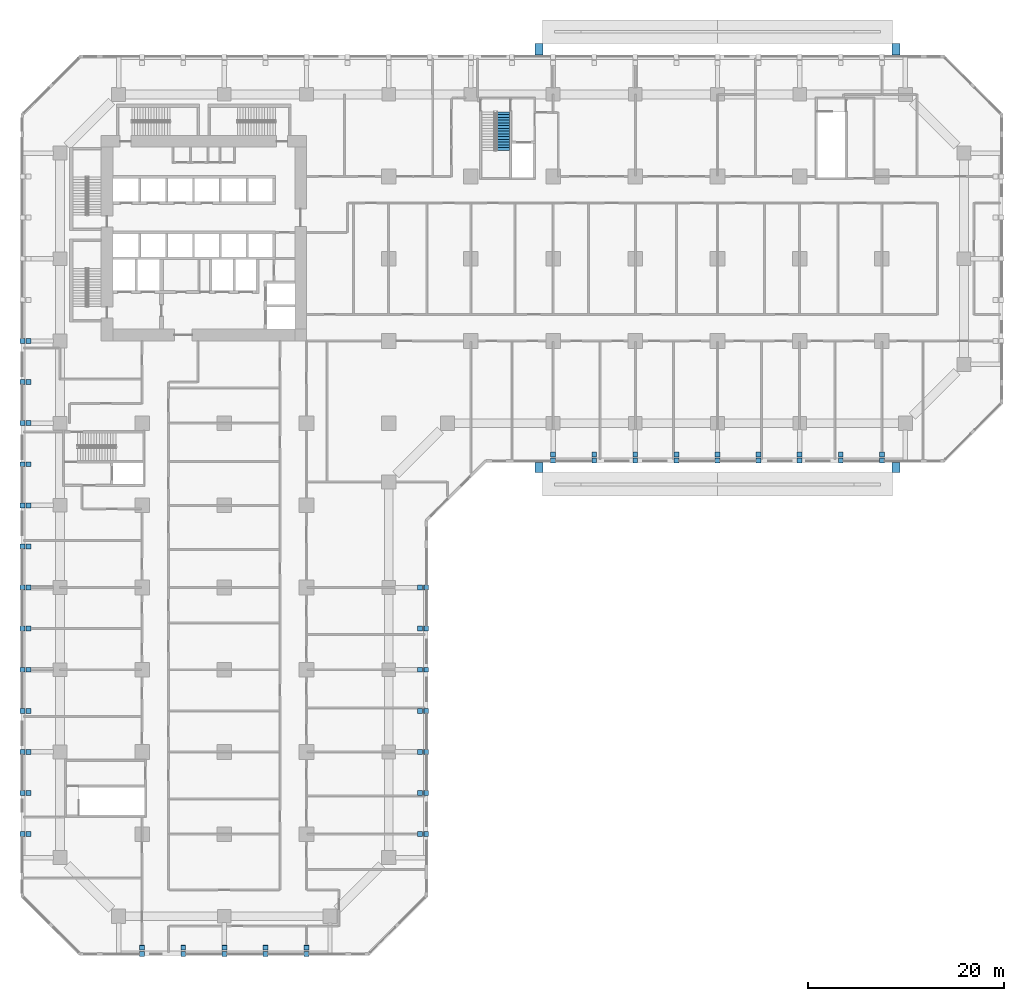
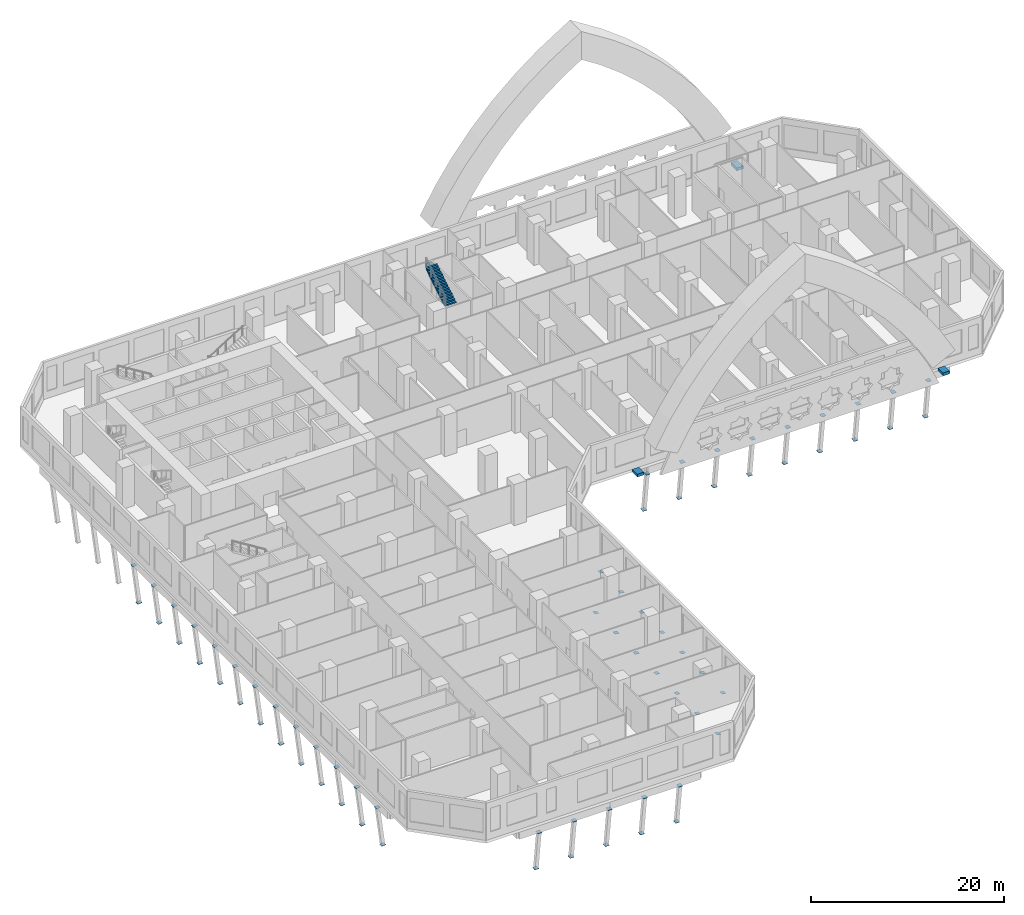
# One storey, part 18 of 25: 72 discrete accessories, 1 stair flight, 1 element without a shape of its own.
"""IFC4 building model written with IfcOpenShell, lengths in metres."""

from ifc_helpers import new_model, si_unit, direction, frame, origin, origin_2d, place, context, subcontext, project, spatial, polyline, rectangle, outline, extrude, material, material_profile, profile_set, type_object, element, aggregate, save


model = new_model("IFC4")

# Units and contexts
model_context = context("Model", 3, precision=1e-05, world=origin(), true_north=direction((0.0, 1.0)))
body_context = subcontext(model_context, "Body", "Model", "MODEL_VIEW")
ifc_project = project(units=[si_unit("LENGTHUNIT", "METRE"), si_unit("AREAUNIT", "SQUARE_METRE"), si_unit("VOLUMEUNIT", "CUBIC_METRE"), si_unit("PLANEANGLEUNIT", "RADIAN"), si_unit("MASSUNIT", "GRAM", prefix="KILO")], contexts=[model_context])

# Site, building, storey
site_placement = place(None, origin())
site = spatial("IfcSite", under=ifc_project, at=site_placement, CompositionType="ELEMENT")
building_placement = place(site_placement, origin())
building = spatial("IfcBuilding", under=site, at=building_placement, Name="Kawkab Arch Medical Tower", CompositionType="ELEMENT")
storey_placement = place(building_placement, frame((0.0, 0.0, 29.0)))
storey = spatial("IfcBuildingStorey", under=building, at=storey_placement, Name="L06", CompositionType="ELEMENT", Elevation=29.0)

# Stair, stair flight
ifc_material_1 = material(Name="Concrete C40/50", Category="concrete")
stair_type = type_object("IfcStairType", Name="Exit stair 1350", PredefinedType="HALF_TURN_STAIR", material=ifc_material_1)
stair_placement = place(storey_placement, origin())
stair = element("IfcStair", 1, at=stair_placement, inside=storey, type_object=stair_type, Name="L06 Exit stair ST5", PredefinedType="HALF_TURN_STAIR")
ifc_material_2 = material(Name="Concrete C40/50", Category="concrete")
stair_flight_type = type_object("IfcStairFlightType", Name="Exit stair flight 1350", PredefinedType="STRAIGHT", material=ifc_material_2)
stair_flight_placement = place(storey_placement, frame((45.27490234375, -5.719970703125, 2.60009765625), z_axis=(0.0, 0.0, 1.0), x_axis=(0.0, 1.0, 0.0)))
stair_flight = element("IfcStairFlight", 2, at=stair_flight_placement, type_object=stair_flight_type, Name="ST5 flight 2", NumberOfRisers=15, NumberOfTreads=14, PredefinedType="STRAIGHT", RiserHeight=0.173333333, TreadLength=0.28, context=body_context, shape_type="SweptSolid", body=[
    extrude(outline(polyline([(-0.0029296875, 0.0), (-0.0029296875, 0.17333984375), (0.0, 0.17333984375), (0.280029296875, 0.17333984375), (0.280029296875, 0.3466796875), (0.56005859375, 0.3466796875), (0.56005859375, 0.52001953125), (0.840087890625, 0.52001953125), (0.840087890625, 0.693359375), (1.1201171875, 0.693359375), (1.1201171875, 0.86669921875), (1.39990234375, 0.86669921875), (1.39990234375, 1.0400390625), (1.679931640625, 1.0400390625), (1.679931640625, 1.21337890625), (1.9599609375, 1.21337890625), (1.9599609375, 1.38671875), (2.239990234375, 1.38671875), (2.239990234375, 1.56005859375), (2.52001953125, 1.56005859375), (2.52001953125, 1.7333984375), (2.800048828125, 1.7333984375), (2.800048828125, 1.90673828125), (3.080078125, 1.90673828125), (3.080078125, 2.080078125), (3.360107421875, 2.080078125), (3.360107421875, 2.25341796875), (3.639892578125, 2.25341796875), (3.639892578125, 2.4267578125), (3.919921875, 2.4267578125), (3.919921875, 2.60009765625), (3.923095703125, 2.60009765625), (3.923095703125, 2.250244140625), (3.919921875, 2.250244140625), (0.284912109375, 0.0), (-0.0029296875, 0.0)])), frame((0.0, 0.675048828125, 0.0), z_axis=(0.0, -1.0, 0.0), x_axis=(1.0, 0.0, 0.0)), (0.0, 0.0, 1.0), 1.35009765625),
])
aggregate(stair, [stair_flight])

# Discrete accessories
ifc_material_3 = material(Name="Galvanised steel tie bracket", Category="steel")
discrete_accessory_type_1 = type_object("IfcDiscreteAccessoryType", Name="Arch tie bracket", PredefinedType="BRACKET", material=ifc_material_3)
for number, where, z_axis, x_axis, name in (
    (3, (48.947509765625, -38.125, -0.35009765625), (0.0, 0.0, 1.0), (1.0, 0.0, 0.0), "Arch tie SW L06"),
    (4, (85.452392578125, -38.125, -0.35009765625), (0.0, 0.0, 1.0), (1.0, 0.0, 0.0), "Arch tie SE L06"),
):
    element("IfcDiscreteAccessory", number, at=place(storey_placement, frame(where, z_axis=z_axis, x_axis=x_axis)), inside=storey, type_object=discrete_accessory_type_1, Name=name, PredefinedType="BRACKET", context=body_context, shape_type="SweptSolid", body=[
        extrude(rectangle(XDim=0.800048828125, YDim=1.050048828125, at=origin_2d()), origin(), (0.0, 0.0, 1.0), 0.35009765625),
    ])
for number, where, z_axis, x_axis, name in (
    (5, (48.947509765625, 4.60009765625, -0.35009765625), (0.0, 0.0, 1.0), (1.0, 0.0, 0.0), "Arch tie NW L06"),
    (6, (85.452392578125, 4.60009765625, -0.35009765625), (0.0, 0.0, 1.0), (1.0, 0.0, 0.0), "Arch tie NE L06"),
):
    element("IfcDiscreteAccessory", number, at=place(storey_placement, frame(where, z_axis=z_axis, x_axis=x_axis)), inside=storey, type_object=discrete_accessory_type_1, Name=name, PredefinedType="BRACKET", context=body_context, shape_type="SweptSolid", body=[
        extrude(rectangle(XDim=0.800048828125, YDim=1.199951171875, at=origin_2d()), origin(), (0.0, 0.0, 1.0), 0.35009765625),
    ])
ifc_material_4 = material(Name="Steel S355", Category="steel")
ifc_material_profile = material_profile(ifc_material_4, rectangle(XDim=0.5, YDim=0.5, at=origin_2d()), Name="End plate 500 x 20")
ifc_profile_set = profile_set([ifc_material_profile], Name="Steel S355")
discrete_accessory_type_2 = type_object("IfcDiscreteAccessoryType", Name="End plate 500 x 20", PredefinedType="ANCHORPLATE", material=ifc_profile_set)
for number, where, z_axis, x_axis, name in (
    (7, (-3.202392578125, -25.199951171875, -6.18017578125), (0.122526572003, 0.0, -0.992465233221), (0.0, 1.0, 0.0), "End plate PRS1"),
    (8, (-3.828369140625, -25.199951171875, -1.269775390625), (-0.122526572003, 0.0, 0.992465233221), (0.0, -1.0, 0.0), "End plate PRS1"),
    (9, (-3.202392578125, -29.39990234375, -6.18017578125), (0.122526572003, 0.0, -0.992465233221), (0.0, 1.0, 0.0), "End plate PRS1"),
    (10, (-3.828369140625, -29.39990234375, -1.269775390625), (-0.122526572003, 0.0, 0.992465233221), (0.0, -1.0, 0.0), "End plate PRS1"),
    (11, (-3.202392578125, -33.60009765625, -6.18017578125), (0.122526572003, 0.0, -0.992465233221), (0.0, 1.0, 0.0), "End plate PRS1"),
    (12, (-3.828369140625, -33.60009765625, -1.269775390625), (-0.122526572003, 0.0, 0.992465233221), (0.0, -1.0, 0.0), "End plate PRS1"),
    (13, (-3.202392578125, -37.800048828125, -6.18017578125), (0.122526572003, 0.0, -0.992465233221), (0.0, 1.0, 0.0), "End plate PRS1"),
    (14, (-3.828369140625, -37.800048828125, -1.269775390625), (-0.122526572003, 0.0, 0.992465233221), (0.0, -1.0, 0.0), "End plate PRS1"),
    (15, (-3.202392578125, -42.0, -6.18017578125), (0.122526572003, 0.0, -0.992465233221), (0.0, 1.0, 0.0), "End plate PRS1"),
    (16, (-3.828369140625, -42.0, -1.269775390625), (-0.122526572003, 0.0, 0.992465233221), (0.0, -1.0, 0.0), "End plate PRS1"),
    (17, (-3.202392578125, -46.199951171875, -6.18017578125), (0.122526572003, 0.0, -0.992465233221), (0.0, 1.0, 0.0), "End plate PRS1"),
    (18, (-3.828369140625, -46.199951171875, -1.269775390625), (-0.122526572003, 0.0, 0.992465233221), (0.0, -1.0, 0.0), "End plate PRS1"),
    (19, (-3.202392578125, -50.39990234375, -6.18017578125), (0.122526572003, 0.0, -0.992465233221), (0.0, 1.0, 0.0), "End plate PRS1"),
    (20, (-3.828369140625, -50.39990234375, -1.269775390625), (-0.122526572003, 0.0, 0.992465233221), (0.0, -1.0, 0.0), "End plate PRS1"),
    (21, (-3.202392578125, -54.60009765625, -6.18017578125), (0.122526572003, 0.0, -0.992465233221), (0.0, 1.0, 0.0), "End plate PRS1"),
    (22, (-3.828369140625, -54.60009765625, -1.269775390625), (-0.122526572003, 0.0, 0.992465233221), (0.0, -1.0, 0.0), "End plate PRS1"),
    (23, (-3.202392578125, -58.800048828125, -6.18017578125), (0.122526572003, 0.0, -0.992465233221), (0.0, 1.0, 0.0), "End plate PRS1"),
    (24, (-3.828369140625, -58.800048828125, -1.269775390625), (-0.122526572003, 0.0, 0.992465233221), (0.0, -1.0, 0.0), "End plate PRS1"),
    (25, (-3.202392578125, -63.0, -6.18017578125), (0.122526572003, 0.0, -0.992465233221), (0.0, 1.0, 0.0), "End plate PRS1"),
    (26, (-3.828369140625, -63.0, -1.269775390625), (-0.122526572003, 0.0, 0.992465233221), (0.0, -1.0, 0.0), "End plate PRS1"),
    (27, (-3.202392578125, -67.199951171875, -6.18017578125), (0.122526572003, 0.0, -0.992465233221), (0.0, 1.0, 0.0), "End plate PRS1"),
    (28, (-3.828369140625, -67.199951171875, -1.269775390625), (-0.122526572003, 0.0, 0.992465233221), (0.0, -1.0, 0.0), "End plate PRS1"),
    (29, (-3.202392578125, -71.39990234375, -6.18017578125), (0.122526572003, 0.0, -0.992465233221), (0.0, 1.0, 0.0), "End plate PRS1"),
    (30, (-3.828369140625, -71.39990234375, -1.269775390625), (-0.122526572003, 0.0, 0.992465233221), (0.0, -1.0, 0.0), "End plate PRS1"),
    (31, (-3.202392578125, -75.60009765625, -6.18017578125), (0.122526572003, 0.0, -0.992465233221), (0.0, 1.0, 0.0), "End plate PRS1"),
    (32, (-3.828369140625, -75.60009765625, -1.269775390625), (-0.122526572003, 0.0, 0.992465233221), (0.0, -1.0, 0.0), "End plate PRS1"),
    (33, (8.39990234375, -87.202392578125, -6.18017578125), (0.0, 0.122526572003, -0.992465233221), (-1.0, 0.0, 0.0), "End plate PRS1"),
    (34, (8.39990234375, -87.828369140625, -1.269775390625), (0.0, -0.122526572003, 0.992465233221), (1.0, 0.0, 0.0), "End plate PRS1"),
    (35, (12.60009765625, -87.202392578125, -6.18017578125), (0.0, 0.122526572003, -0.992465233221), (-1.0, 0.0, 0.0), "End plate PRS1"),
    (36, (12.60009765625, -87.828369140625, -1.269775390625), (0.0, -0.122526572003, 0.992465233221), (1.0, 0.0, 0.0), "End plate PRS1"),
    (37, (16.800048828125, -87.202392578125, -6.18017578125), (0.0, 0.122526572003, -0.992465233221), (-1.0, 0.0, 0.0), "End plate PRS1"),
    (38, (16.800048828125, -87.828369140625, -1.269775390625), (0.0, -0.122526572003, 0.992465233221), (1.0, 0.0, 0.0), "End plate PRS1"),
    (39, (21.0, -87.202392578125, -6.18017578125), (0.0, 0.122526572003, -0.992465233221), (-1.0, 0.0, 0.0), "End plate PRS1"),
    (40, (21.0, -87.828369140625, -1.269775390625), (0.0, -0.122526572003, 0.992465233221), (1.0, 0.0, 0.0), "End plate PRS1"),
    (41, (25.199951171875, -87.202392578125, -6.18017578125), (0.0, 0.122526572003, -0.992465233221), (-1.0, 0.0, 0.0), "End plate PRS1"),
    (42, (25.199951171875, -87.828369140625, -1.269775390625), (0.0, -0.122526572003, 0.992465233221), (1.0, 0.0, 0.0), "End plate PRS1"),
    (43, (36.802490234375, -50.39990234375, -6.18017578125), (-0.122526572003, 0.0, -0.992465233221), (0.0, -1.0, 0.0), "End plate PRS1"),
    (44, (37.428466796875, -50.39990234375, -1.269775390625), (0.122526572003, 0.0, 0.992465233221), (0.0, 1.0, 0.0), "End plate PRS1"),
    (45, (36.802490234375, -54.60009765625, -6.18017578125), (-0.122526572003, 0.0, -0.992465233221), (0.0, -1.0, 0.0), "End plate PRS1"),
    (46, (37.428466796875, -54.60009765625, -1.269775390625), (0.122526572003, 0.0, 0.992465233221), (0.0, 1.0, 0.0), "End plate PRS1"),
    (47, (36.802490234375, -58.800048828125, -6.18017578125), (-0.122526572003, 0.0, -0.992465233221), (0.0, -1.0, 0.0), "End plate PRS1"),
    (48, (37.428466796875, -58.800048828125, -1.269775390625), (0.122526572003, 0.0, 0.992465233221), (0.0, 1.0, 0.0), "End plate PRS1"),
    (49, (36.802490234375, -63.0, -6.18017578125), (-0.122526572003, 0.0, -0.992465233221), (0.0, -1.0, 0.0), "End plate PRS1"),
    (50, (37.428466796875, -63.0, -1.269775390625), (0.122526572003, 0.0, 0.992465233221), (0.0, 1.0, 0.0), "End plate PRS1"),
    (51, (36.802490234375, -67.199951171875, -6.18017578125), (-0.122526572003, 0.0, -0.992465233221), (0.0, -1.0, 0.0), "End plate PRS1"),
    (52, (37.428466796875, -67.199951171875, -1.269775390625), (0.122526572003, 0.0, 0.992465233221), (0.0, 1.0, 0.0), "End plate PRS1"),
    (53, (36.802490234375, -71.39990234375, -6.18017578125), (-0.122526572003, 0.0, -0.992465233221), (0.0, -1.0, 0.0), "End plate PRS1"),
    (54, (37.428466796875, -71.39990234375, -1.269775390625), (0.122526572003, 0.0, 0.992465233221), (0.0, 1.0, 0.0), "End plate PRS1"),
    (55, (36.802490234375, -75.60009765625, -6.18017578125), (-0.122526572003, 0.0, -0.992465233221), (0.0, -1.0, 0.0), "End plate PRS1"),
    (56, (37.428466796875, -75.60009765625, -1.269775390625), (0.122526572003, 0.0, 0.992465233221), (0.0, 1.0, 0.0), "End plate PRS1"),
    (57, (50.39990234375, -36.802490234375, -6.18017578125), (0.0, 0.122526572003, -0.992465233221), (-1.0, 0.0, 0.0), "End plate PRS1"),
    (58, (50.39990234375, -37.428466796875, -1.269775390625), (0.0, -0.122526572003, 0.992465233221), (1.0, 0.0, 0.0), "End plate PRS1"),
    (59, (54.60009765625, -36.802490234375, -6.18017578125), (0.0, 0.122526572003, -0.992465233221), (-1.0, 0.0, 0.0), "End plate PRS1"),
    (60, (54.60009765625, -37.428466796875, -1.269775390625), (0.0, -0.122526572003, 0.992465233221), (1.0, 0.0, 0.0), "End plate PRS1"),
    (61, (58.800048828125, -36.802490234375, -6.18017578125), (0.0, 0.122526572003, -0.992465233221), (-1.0, 0.0, 0.0), "End plate PRS1"),
    (62, (58.800048828125, -37.428466796875, -1.269775390625), (0.0, -0.122526572003, 0.992465233221), (1.0, 0.0, 0.0), "End plate PRS1"),
    (63, (63.0, -36.802490234375, -6.18017578125), (0.0, 0.122526572003, -0.992465233221), (-1.0, 0.0, 0.0), "End plate PRS1"),
    (64, (63.0, -37.428466796875, -1.269775390625), (0.0, -0.122526572003, 0.992465233221), (1.0, 0.0, 0.0), "End plate PRS1"),
    (65, (67.199951171875, -36.802490234375, -6.18017578125), (0.0, 0.122526572003, -0.992465233221), (-1.0, 0.0, 0.0), "End plate PRS1"),
    (66, (67.199951171875, -37.428466796875, -1.269775390625), (0.0, -0.122526572003, 0.992465233221), (1.0, 0.0, 0.0), "End plate PRS1"),
    (67, (71.39990234375, -36.802490234375, -6.18017578125), (0.0, 0.122526572003, -0.992465233221), (-1.0, 0.0, 0.0), "End plate PRS1"),
    (68, (71.39990234375, -37.428466796875, -1.269775390625), (0.0, -0.122526572003, 0.992465233221), (1.0, 0.0, 0.0), "End plate PRS1"),
    (69, (75.60009765625, -36.802490234375, -6.18017578125), (0.0, 0.122526572003, -0.992465233221), (-1.0, 0.0, 0.0), "End plate PRS1"),
    (70, (75.60009765625, -37.428466796875, -1.269775390625), (0.0, -0.122526572003, 0.992465233221), (1.0, 0.0, 0.0), "End plate PRS1"),
    (71, (79.800048828125, -36.802490234375, -6.18017578125), (0.0, 0.122526572003, -0.992465233221), (-1.0, 0.0, 0.0), "End plate PRS1"),
    (72, (79.800048828125, -37.428466796875, -1.269775390625), (0.0, -0.122526572003, 0.992465233221), (1.0, 0.0, 0.0), "End plate PRS1"),
    (73, (84.0, -36.802490234375, -6.18017578125), (0.0, 0.122526572003, -0.992465233221), (-1.0, 0.0, 0.0), "End plate PRS1"),
    (74, (84.0, -37.428466796875, -1.269775390625), (0.0, -0.122526572003, 0.992465233221), (1.0, 0.0, 0.0), "End plate PRS1"),
):
    element("IfcDiscreteAccessory", number, at=place(storey_placement, frame(where, z_axis=z_axis, x_axis=x_axis)), inside=storey, type_object=discrete_accessory_type_2, Name=name, PredefinedType="ANCHORPLATE", context=body_context, shape_type="SweptSolid", body=[
        extrude(rectangle(XDim=0.5, YDim=0.5, at=origin_2d()), origin(), (0.0, 0.0, 1.0), 0.02001953125),
    ])

save(model, "model.ifc")
